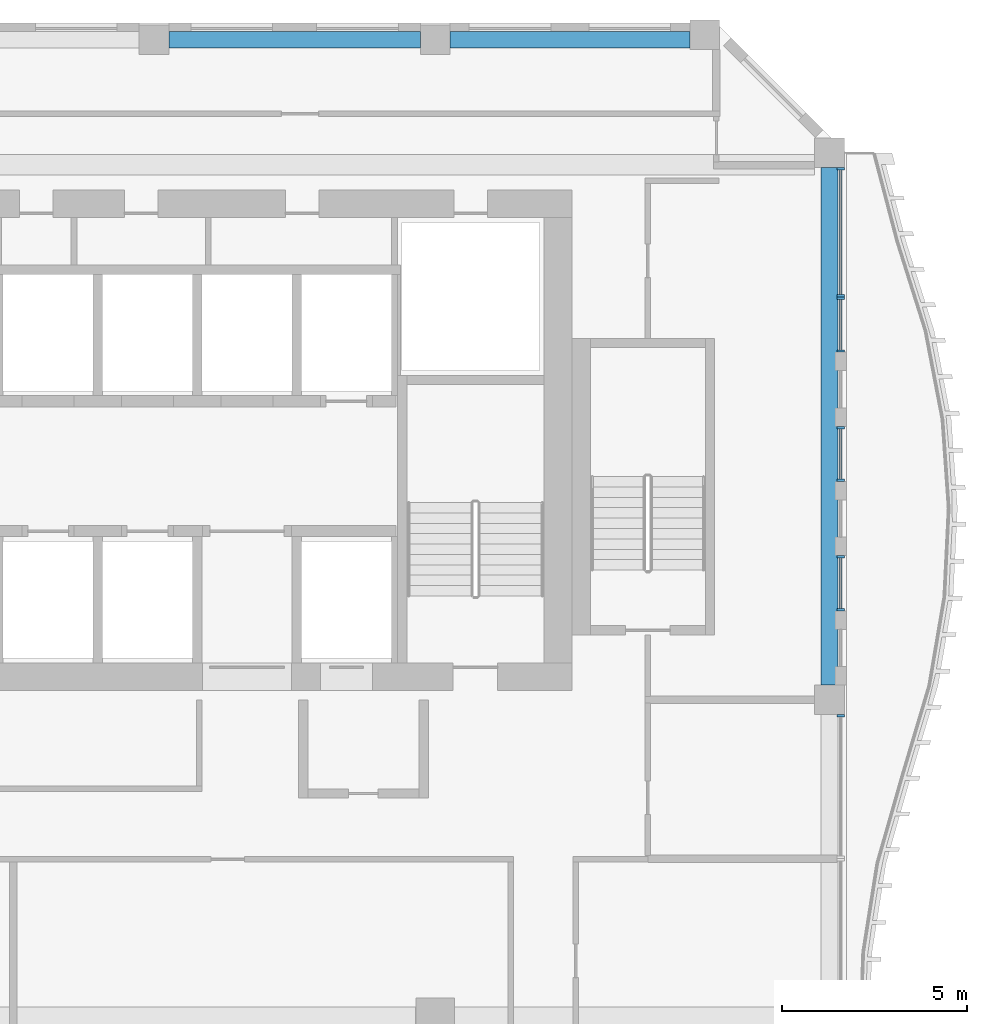
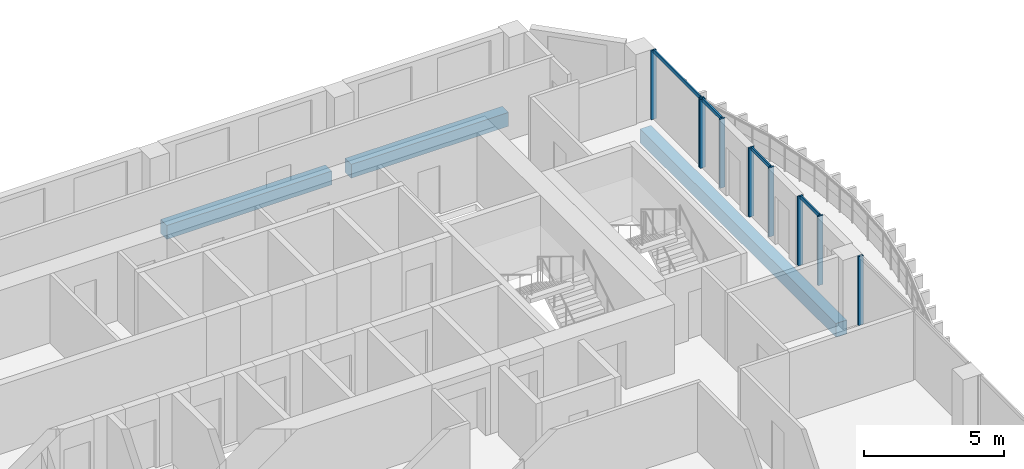
# One storey, part 8 of 24: 13 members, 3 beams, 5 elements without a shape of their own.
"""IFC4 building model written with IfcOpenShell, lengths in metres."""

from ifc_helpers import new_model, si_unit, direction, frame, origin, origin_2d, place, context, subcontext, project, spatial, rectangle, extrude, source, transform, mapped, material, material_profile, profile_set, type_object, element, aggregate, save


model = new_model("IFC4")

# Units and contexts
model_context = context("Model", 3, precision=1e-05, world=origin(), true_north=direction((0.0, 1.0)))
body_context = subcontext(model_context, "Body", "Model", "MODEL_VIEW")
ifc_project = project(units=[si_unit("LENGTHUNIT", "METRE"), si_unit("AREAUNIT", "SQUARE_METRE"), si_unit("VOLUMEUNIT", "CUBIC_METRE"), si_unit("PLANEANGLEUNIT", "RADIAN"), si_unit("MASSUNIT", "GRAM", prefix="KILO")], contexts=[model_context])

# Site, building, storey
site_placement = place(None, origin())
site = spatial("IfcSite", under=ifc_project, at=site_placement, CompositionType="ELEMENT")
building_placement = place(site_placement, origin())
building = spatial("IfcBuilding", under=site, at=building_placement, Name="Kilnfold Tower and Market Hall", CompositionType="ELEMENT")
storey_placement = place(building_placement, frame((0.0, 0.0, 192.300048828125)))
storey = spatial("IfcBuildingStorey", under=building, at=storey_placement, Name="L46", CompositionType="ELEMENT", Elevation=192.300048828125)

# Beams
ifc_material_1 = material(Name="Concrete C45", Category="concrete")
ifc_material_profile_1 = material_profile(ifc_material_1, rectangle(XDim=0.449951171875, YDim=0.60009765625, at=origin_2d()), Name="RC 450x600")
ifc_profile_set_1 = profile_set([ifc_material_profile_1], Name="Concrete C45")
beam_type = type_object("IfcBeamType", Name="EDGE BEAM 450X600 C45", PredefinedType="BEAM", material=ifc_profile_set_1)
shared_shape_1 = source(origin(), body_context, "Body", "SweptSolid", [
    extrude(rectangle(XDim=0.449951171875, YDim=0.60009765625, at=origin_2d()), origin(), (0.0, 0.0, 1.0), 6.783203125),
])
beam_1_placement = place(storey_placement, frame((6.9833984375, 25.800048828125, -0.580078125), z_axis=(1.0, 0.0, 0.0), x_axis=(0.0, 1.0, 0.0)))
element("IfcBeam", 1, at=beam_1_placement, inside=storey, type_object=beam_type, Name="Beam EB600-B5.63", PredefinedType="BEAM", context=body_context, shape_type="MappedRepresentation", body=[
    mapped(shared_shape_1, transform((0.0, 0.0, 0.0))),
])
shared_shape_2 = source(origin(), body_context, "Body", "SweptSolid", [
    extrude(rectangle(XDim=0.449951171875, YDim=0.60009765625, at=origin_2d()), origin(), (0.0, 0.0, 1.0), 6.465087890625),
])
beam_2_placement = place(storey_placement, frame((14.566650390625, 25.800048828125, -0.580078125), z_axis=(1.0, 0.0, 0.0), x_axis=(0.0, 1.0, 0.0)))
element("IfcBeam", 2, at=beam_2_placement, inside=storey, type_object=beam_type, Name="Beam EB600-B5.64", PredefinedType="BEAM", context=body_context, shape_type="MappedRepresentation", body=[
    mapped(shared_shape_2, transform((0.0, 0.0, 0.0))),
])
shared_shape_3 = source(origin(), body_context, "Body", "SweptSolid", [
    extrude(rectangle(XDim=0.449951171875, YDim=0.60009765625, at=origin_2d()), origin(), (0.0, 0.0, 1.0), 13.9501953125),
])
beam_3_placement = place(storey_placement, frame((24.800048828125, 8.39990234375, -0.580078125), z_axis=(0.0, 1.0, 0.0), x_axis=(-1.0, 0.0, 0.0)))
element("IfcBeam", 3, at=beam_3_placement, inside=storey, type_object=beam_type, Name="Beam EB600-B5.79", PredefinedType="BEAM", context=body_context, shape_type="MappedRepresentation", body=[
    mapped(shared_shape_3, transform((0.0, 0.0, 0.0))),
])

# Curtain wall, member
ifc_material_2 = material(Name="Aluminium and double glazing", Category="aluminium")
curtain_wall_type = type_object("IfcCurtainWallType", Name="CW GARDEN HOTEL WINTER GARDEN", PredefinedType="NOTDEFINED", material=ifc_material_2)
curtain_wall_1_placement = place(storey_placement, origin())
curtain_wall_1 = element("IfcCurtainWall", 4, at=curtain_wall_1_placement, inside=storey, type_object=curtain_wall_type, Name="Curtain wall CW5 L46 E", PredefinedType="NOTDEFINED")
ifc_material_3 = material(Name="Aluminium", Category="aluminium")
ifc_material_profile_2 = material_profile(ifc_material_3, rectangle(XDim=0.06494140625, YDim=0.2099609375, at=origin_2d()), Name="MULLION 65x210")
ifc_profile_set_2 = profile_set([ifc_material_profile_2], Name="Aluminium")
member_type_1 = type_object("IfcMemberType", Name="MULLION 65X210", PredefinedType="MULLION", material=ifc_profile_set_2)
shared_shape_4 = source(origin(), body_context, "Body", "SweptSolid", [
    extrude(rectangle(XDim=0.06494140625, YDim=0.2099609375, at=origin_2d()), origin(), (0.0, 0.0, 1.0), 3.0),
])
member_1_placement = place(storey_placement, frame((25.10009765625, 7.5673828125, 0.0), z_axis=(0.0, 0.0, 1.0), x_axis=(0.0, 1.0, 0.0)))
member_1 = element("IfcMember", 5, at=member_1_placement, type_object=member_type_1, Name="CW5 mullion 2", PredefinedType="MULLION", context=body_context, shape_type="MappedRepresentation", body=[
    mapped(shared_shape_4, transform((0.0, 0.0, 0.0))),
])
aggregate(curtain_wall_1, [member_1])

# Curtain wall, members
curtain_wall_2_placement = place(storey_placement, origin())
curtain_wall_2 = element("IfcCurtainWall", 6, at=curtain_wall_2_placement, inside=storey, type_object=curtain_wall_type, Name="Curtain wall CW5 L46 E", PredefinedType="NOTDEFINED")
member_2_placement = place(storey_placement, frame((25.10009765625, 10.4326171875, 0.0), z_axis=(0.0, 0.0, 1.0), x_axis=(0.0, 1.0, 0.0)))
member_2 = element("IfcMember", 7, at=member_2_placement, type_object=member_type_1, Name="CW5 mullion 1", PredefinedType="MULLION", context=body_context, shape_type="MappedRepresentation", body=[
    mapped(shared_shape_4, transform((0.0, 0.0, 0.0))),
])
member_3_placement = place(storey_placement, frame((25.10009765625, 11.85498046875, 0.0), z_axis=(0.0, 0.0, 1.0), x_axis=(0.0, 1.0, 0.0)))
member_3 = element("IfcMember", 8, at=member_3_placement, type_object=member_type_1, Name="CW5 mullion 2", PredefinedType="MULLION", context=body_context, shape_type="MappedRepresentation", body=[
    mapped(shared_shape_4, transform((0.0, 0.0, 0.0))),
])

curtain_wall_3_placement = place(storey_placement, origin())
curtain_wall_3 = element("IfcCurtainWall", 9, at=curtain_wall_3_placement, inside=storey, type_object=curtain_wall_type, Name="Curtain wall CW5 L46 E", PredefinedType="NOTDEFINED")
member_4_placement = place(storey_placement, frame((25.10009765625, 13.919921875, 0.0), z_axis=(0.0, 0.0, 1.0), x_axis=(0.0, 1.0, 0.0)))
member_4 = element("IfcMember", 10, at=member_4_placement, type_object=member_type_1, Name="CW5 mullion 1", PredefinedType="MULLION", context=body_context, shape_type="MappedRepresentation", body=[
    mapped(shared_shape_4, transform((0.0, 0.0, 0.0))),
])
member_5_placement = place(storey_placement, frame((25.10009765625, 15.342529296875, 0.0), z_axis=(0.0, 0.0, 1.0), x_axis=(0.0, 1.0, 0.0)))
member_5 = element("IfcMember", 11, at=member_5_placement, type_object=member_type_1, Name="CW5 mullion 2", PredefinedType="MULLION", context=body_context, shape_type="MappedRepresentation", body=[
    mapped(shared_shape_4, transform((0.0, 0.0, 0.0))),
])

curtain_wall_4_placement = place(storey_placement, origin())
curtain_wall_4 = element("IfcCurtainWall", 12, at=curtain_wall_4_placement, inside=storey, type_object=curtain_wall_type, Name="Curtain wall CW5 L46 E", PredefinedType="NOTDEFINED")
member_6_placement = place(storey_placement, frame((25.10009765625, 17.407470703125, 0.0), z_axis=(0.0, 0.0, 1.0), x_axis=(0.0, 1.0, 0.0)))
member_6 = element("IfcMember", 13, at=member_6_placement, type_object=member_type_1, Name="CW5 mullion 1", PredefinedType="MULLION", context=body_context, shape_type="MappedRepresentation", body=[
    mapped(shared_shape_4, transform((0.0, 0.0, 0.0))),
])
member_7_placement = place(storey_placement, frame((25.10009765625, 18.830078125, 0.0), z_axis=(0.0, 0.0, 1.0), x_axis=(0.0, 1.0, 0.0)))
member_7 = element("IfcMember", 14, at=member_7_placement, type_object=member_type_1, Name="CW5 mullion 2", PredefinedType="MULLION", context=body_context, shape_type="MappedRepresentation", body=[
    mapped(shared_shape_4, transform((0.0, 0.0, 0.0))),
])

curtain_wall_5_placement = place(storey_placement, origin())
curtain_wall_5 = element("IfcCurtainWall", 15, at=curtain_wall_5_placement, inside=storey, type_object=curtain_wall_type, Name="Curtain wall CW5 L46 E", PredefinedType="NOTDEFINED")
member_8_placement = place(storey_placement, frame((25.10009765625, 18.89501953125, 0.0), z_axis=(0.0, 0.0, 1.0), x_axis=(0.0, 1.0, 0.0)))
member_8 = element("IfcMember", 16, at=member_8_placement, type_object=member_type_1, Name="CW5 mullion 1", PredefinedType="MULLION", context=body_context, shape_type="MappedRepresentation", body=[
    mapped(shared_shape_4, transform((0.0, 0.0, 0.0))),
])
member_9_placement = place(storey_placement, frame((25.10009765625, 22.3173828125, 0.0), z_axis=(0.0, 0.0, 1.0), x_axis=(0.0, 1.0, 0.0)))
member_9 = element("IfcMember", 17, at=member_9_placement, type_object=member_type_1, Name="CW5 mullion 2", PredefinedType="MULLION", context=body_context, shape_type="MappedRepresentation", body=[
    mapped(shared_shape_4, transform((0.0, 0.0, 0.0))),
])

# Member
ifc_material_4 = material(Name="Aluminium", Category="aluminium")
ifc_material_profile_3 = material_profile(ifc_material_4, rectangle(XDim=0.06494140625, YDim=0.14990234375, at=origin_2d()), Name="TRANSOM 65x150")
ifc_profile_set_3 = profile_set([ifc_material_profile_3], Name="Aluminium")
member_type_2 = type_object("IfcMemberType", Name="TRANSOM 65X150", PredefinedType="USERDEFINED", material=ifc_profile_set_3)
shared_shape_5 = source(origin(), body_context, "Body", "SweptSolid", [
    extrude(rectangle(XDim=0.06494140625, YDim=0.14990234375, at=origin_2d()), origin(), (0.0, 0.0, 1.0), 1.357421875),
])
member_10_placement = place(storey_placement, frame((25.10009765625, 10.465087890625, 2.967529296875), z_axis=(0.0, 1.0, 0.0), x_axis=(-1.0, 0.0, 0.0)))
member_10 = element("IfcMember", 18, at=member_10_placement, type_object=member_type_2, Name="CW5 transom 1.2", ObjectType="TRANSOM", PredefinedType="USERDEFINED", context=body_context, shape_type="MappedRepresentation", body=[
    mapped(shared_shape_5, transform((0.0, 0.0, 0.0))),
])

aggregate(curtain_wall_2, [member_2, member_3, member_10])

shared_shape_6 = source(origin(), body_context, "Body", "SweptSolid", [
    extrude(rectangle(XDim=0.06494140625, YDim=0.14990234375, at=origin_2d()), origin(), (0.0, 0.0, 1.0), 1.357666015625),
])
member_11_placement = place(storey_placement, frame((25.10009765625, 13.952392578125, 2.967529296875), z_axis=(0.0, 1.0, 0.0), x_axis=(-1.0, 0.0, 0.0)))
member_11 = element("IfcMember", 19, at=member_11_placement, type_object=member_type_2, Name="CW5 transom 1.2", ObjectType="TRANSOM", PredefinedType="USERDEFINED", context=body_context, shape_type="MappedRepresentation", body=[
    mapped(shared_shape_6, transform((0.0, 0.0, 0.0))),
])

aggregate(curtain_wall_3, [member_4, member_5, member_11])

member_12_placement = place(storey_placement, frame((25.10009765625, 17.43994140625, 2.967529296875), z_axis=(0.0, 1.0, 0.0), x_axis=(-1.0, 0.0, 0.0)))
member_12 = element("IfcMember", 20, at=member_12_placement, type_object=member_type_2, Name="CW5 transom 1.2", ObjectType="TRANSOM", PredefinedType="USERDEFINED", context=body_context, shape_type="MappedRepresentation", body=[
    mapped(shared_shape_6, transform((0.0, 0.0, 0.0))),
])

aggregate(curtain_wall_4, [member_6, member_7, member_12])

shared_shape_7 = source(origin(), body_context, "Body", "SweptSolid", [
    extrude(rectangle(XDim=0.06494140625, YDim=0.14990234375, at=origin_2d()), origin(), (0.0, 0.0, 1.0), 3.357421875),
])
member_13_placement = place(storey_placement, frame((25.10009765625, 18.927490234375, 2.967529296875), z_axis=(0.0, 1.0, 0.0), x_axis=(-1.0, 0.0, 0.0)))
member_13 = element("IfcMember", 21, at=member_13_placement, type_object=member_type_2, Name="CW5 transom 1.2", ObjectType="TRANSOM", PredefinedType="USERDEFINED", context=body_context, shape_type="MappedRepresentation", body=[
    mapped(shared_shape_7, transform((0.0, 0.0, 0.0))),
])

aggregate(curtain_wall_5, [member_8, member_9, member_13])

save(model, "model.ifc")
